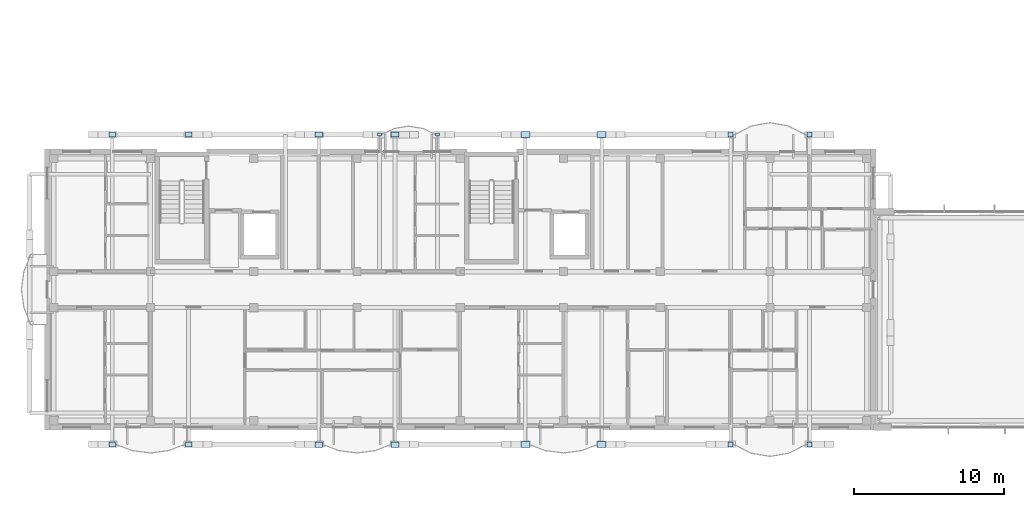
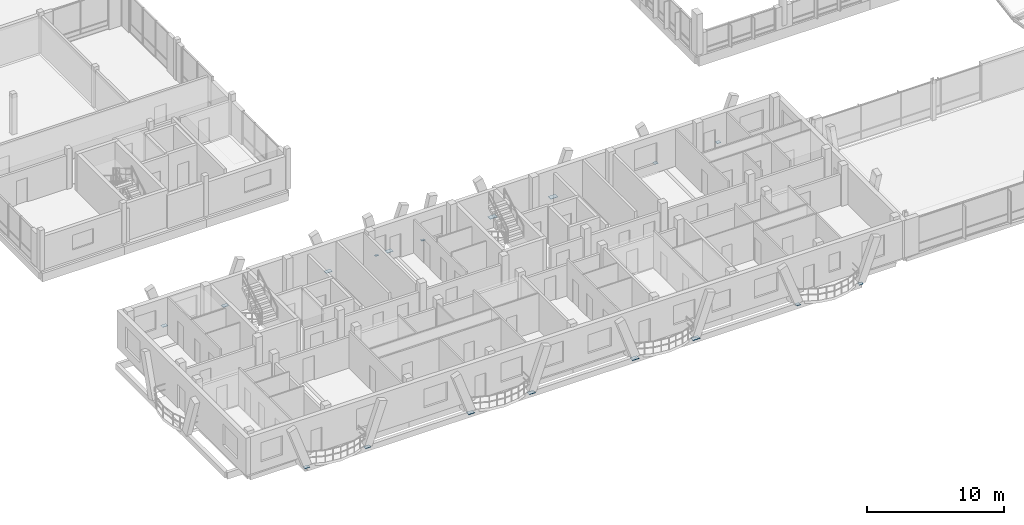
# One storey, part 133 of 189: 18 plates.
"""IFC4 building model written with IfcOpenShell, lengths in metres."""

from ifc_helpers import new_model, si_unit, direction, frame, origin, origin_2d, place, context, subcontext, project, spatial, rectangle, extrude, material, layer, layer_set, type_object, element, save


model = new_model("IFC4")

# Units and contexts
model_context = context("Model", 3, precision=1e-05, world=origin(), true_north=direction((0.0, 1.0)))
body_context = subcontext(model_context, "Body", "Model", "MODEL_VIEW")
ifc_project = project(units=[si_unit("LENGTHUNIT", "METRE"), si_unit("AREAUNIT", "SQUARE_METRE"), si_unit("VOLUMEUNIT", "CUBIC_METRE"), si_unit("PLANEANGLEUNIT", "RADIAN"), si_unit("MASSUNIT", "GRAM", prefix="KILO")], contexts=[model_context])

# Site, building, storey
site_placement = place(None, origin())
site = spatial("IfcSite", under=ifc_project, at=site_placement, CompositionType="ELEMENT")
building_placement = place(site_placement, origin())
building = spatial("IfcBuilding", under=site, at=building_placement, Name="Zavelmont Quarter", CompositionType="ELEMENT")
storey_placement = place(building_placement, frame((0.0, 0.0, 4.39990234375)))
storey = spatial("IfcBuildingStorey", under=building, at=storey_placement, Name="L01", CompositionType="ELEMENT", Elevation=4.39990234375)

# Plates
ifc_material = material(Name="Steel S355", Category="steel")
ifc_layer_1 = layer(ifc_material, 0.02001953125)
ifc_layer_set_1 = layer_set([ifc_layer_1], Name="Steel S355")
plate_type_1 = type_object("IfcPlateType", Name="NP01", PredefinedType="SHEET", material=ifc_layer_set_1)
for number, where, z_axis, x_axis, name in (
    (1, (22.213623046875, 19.56201171875, -0.2099609375), (0.0, 0.0, 1.0), (1.0, 0.0, 0.0), "L01 steel connection plate NP01 at 4/D"),
    (2, (26.08642578125, 19.56201171875, -0.2099609375), (0.0, 0.0, 1.0), (1.0, 0.0, 0.0), "L01 steel connection plate NP01 at 5/D"),
):
    element("IfcPlate", number, at=place(storey_placement, frame(where, z_axis=z_axis, x_axis=x_axis)), inside=storey, type_object=plate_type_1, Name=name, PredefinedType="SHEET", context=body_context, shape_type="SweptSolid", body=[
        extrude(rectangle(XDim=0.280029296875, YDim=0.179931640625, at=origin_2d()), origin(), (0.0, 0.0, 1.0), 0.02001953125),
    ])
ifc_layer_2 = layer(ifc_material, 0.02490234375)
ifc_layer_set_2 = layer_set([ifc_layer_2], Name="Steel S355")
plate_type_2 = type_object("IfcPlateType", Name="NP03", PredefinedType="SHEET", material=ifc_layer_set_2)
for number, where, z_axis, x_axis, name in (
    (3, (4.350341796875, -1.162109375, -0.21240234375), (0.0, 0.0, 1.0), (1.0, 0.0, 0.0), "L01 steel connection plate NP03 at 2/A"),
    (4, (9.44970703125, -1.162109375, -0.21240234375), (0.0, 0.0, 1.0), (1.0, 0.0, 0.0), "L01 steel connection plate NP03 at 2/A"),
    (5, (4.350341796875, 19.56201171875, -0.21240234375), (0.0, 0.0, 1.0), (1.0, 0.0, 0.0), "L01 steel connection plate NP03 at 2/D"),
    (6, (9.44970703125, 19.56201171875, -0.21240234375), (0.0, 0.0, 1.0), (1.0, 0.0, 0.0), "L01 steel connection plate NP03 at 2/D"),
):
    element("IfcPlate", number, at=place(storey_placement, frame(where, z_axis=z_axis, x_axis=x_axis)), inside=storey, type_object=plate_type_2, Name=name, PredefinedType="SHEET", context=body_context, shape_type="SweptSolid", body=[
        extrude(rectangle(XDim=0.43994140625, YDim=0.320068359375, at=origin_2d()), origin(), (0.0, 0.0, 1.0), 0.02490234375),
    ])
ifc_layer_3 = layer(ifc_material, 0.028076171875)
ifc_layer_set_3 = layer_set([ifc_layer_3], Name="Steel S355")
plate_type_3 = type_object("IfcPlateType", Name="NP04", PredefinedType="SHEET", material=ifc_layer_set_3)
for number, where, z_axis, x_axis, name in (
    (7, (18.150390625, -1.162109375, -0.2138671875), (0.0, 0.0, 1.0), (1.0, 0.0, 0.0), "L01 steel connection plate NP04 at 4/A"),
    (8, (23.24951171875, -1.162109375, -0.2138671875), (0.0, 0.0, 1.0), (1.0, 0.0, 0.0), "L01 steel connection plate NP04 at 4/A"),
    (9, (18.150390625, 19.56201171875, -0.2138671875), (0.0, 0.0, 1.0), (1.0, 0.0, 0.0), "L01 steel connection plate NP04 at 4/D"),
    (10, (23.24951171875, 19.56201171875, -0.2138671875), (0.0, 0.0, 1.0), (1.0, 0.0, 0.0), "L01 steel connection plate NP04 at 4/D"),
):
    element("IfcPlate", number, at=place(storey_placement, frame(where, z_axis=z_axis, x_axis=x_axis)), inside=storey, type_object=plate_type_3, Name=name, PredefinedType="SHEET", context=body_context, shape_type="SweptSolid", body=[
        extrude(rectangle(XDim=0.52001953125, YDim=0.360107421875, at=origin_2d()), origin(), (0.0, 0.0, 1.0), 0.028076171875),
    ])
ifc_layer_4 = layer(ifc_material, 0.030029296875)
ifc_layer_set_4 = layer_set([ifc_layer_4], Name="Steel S355")
plate_type_4 = type_object("IfcPlateType", Name="NP05", PredefinedType="SHEET", material=ifc_layer_set_4)
for number, where, z_axis, x_axis, name in (
    (11, (31.950439453125, -1.162109375, -0.21484375), (0.0, 0.0, 1.0), (1.0, 0.0, 0.0), "L01 steel connection plate NP05 at 6/A"),
    (12, (37.049560546875, -1.162109375, -0.21484375), (0.0, 0.0, 1.0), (1.0, 0.0, 0.0), "L01 steel connection plate NP05 at 6/A"),
    (13, (31.950439453125, 19.56201171875, -0.21484375), (0.0, 0.0, 1.0), (1.0, 0.0, 0.0), "L01 steel connection plate NP05 at 6/D"),
    (14, (37.049560546875, 19.56201171875, -0.21484375), (0.0, 0.0, 1.0), (1.0, 0.0, 0.0), "L01 steel connection plate NP05 at 6/D"),
):
    element("IfcPlate", number, at=place(storey_placement, frame(where, z_axis=z_axis, x_axis=x_axis)), inside=storey, type_object=plate_type_4, Name=name, PredefinedType="SHEET", context=body_context, shape_type="SweptSolid", body=[
        extrude(rectangle(XDim=0.60009765625, YDim=0.39990234375, at=origin_2d()), origin(), (0.0, 0.0, 1.0), 0.030029296875),
    ])
ifc_layer_5 = layer(ifc_material, 0.02197265625)
ifc_layer_set_5 = layer_set([ifc_layer_5], Name="Steel S355")
plate_type_5 = type_object("IfcPlateType", Name="NP06", PredefinedType="SHEET", material=ifc_layer_set_5)
for number, where, z_axis, x_axis, name in (
    (15, (45.66748046875, -1.162109375, -0.2109375), (0.0, 0.0, 1.0), (1.0, 0.0, 0.0), "L01 steel connection plate NP06 at 8/A"),
    (16, (50.9326171875, -1.162109375, -0.2109375), (0.0, 0.0, 1.0), (1.0, 0.0, 0.0), "L01 steel connection plate NP06 at 8/A"),
    (17, (45.66748046875, 19.56201171875, -0.2109375), (0.0, 0.0, 1.0), (1.0, 0.0, 0.0), "L01 steel connection plate NP06 at 8/D"),
    (18, (50.9326171875, 19.56201171875, -0.2109375), (0.0, 0.0, 1.0), (1.0, 0.0, 0.0), "L01 steel connection plate NP06 at 8/D"),
):
    element("IfcPlate", number, at=place(storey_placement, frame(where, z_axis=z_axis, x_axis=x_axis)), inside=storey, type_object=plate_type_5, Name=name, PredefinedType="SHEET", context=body_context, shape_type="SweptSolid", body=[
        extrude(rectangle(XDim=0.320068359375, YDim=0.320068359375, at=origin_2d()), origin(), (0.0, 0.0, 1.0), 0.02197265625),
    ])

save(model, "model.ifc")
